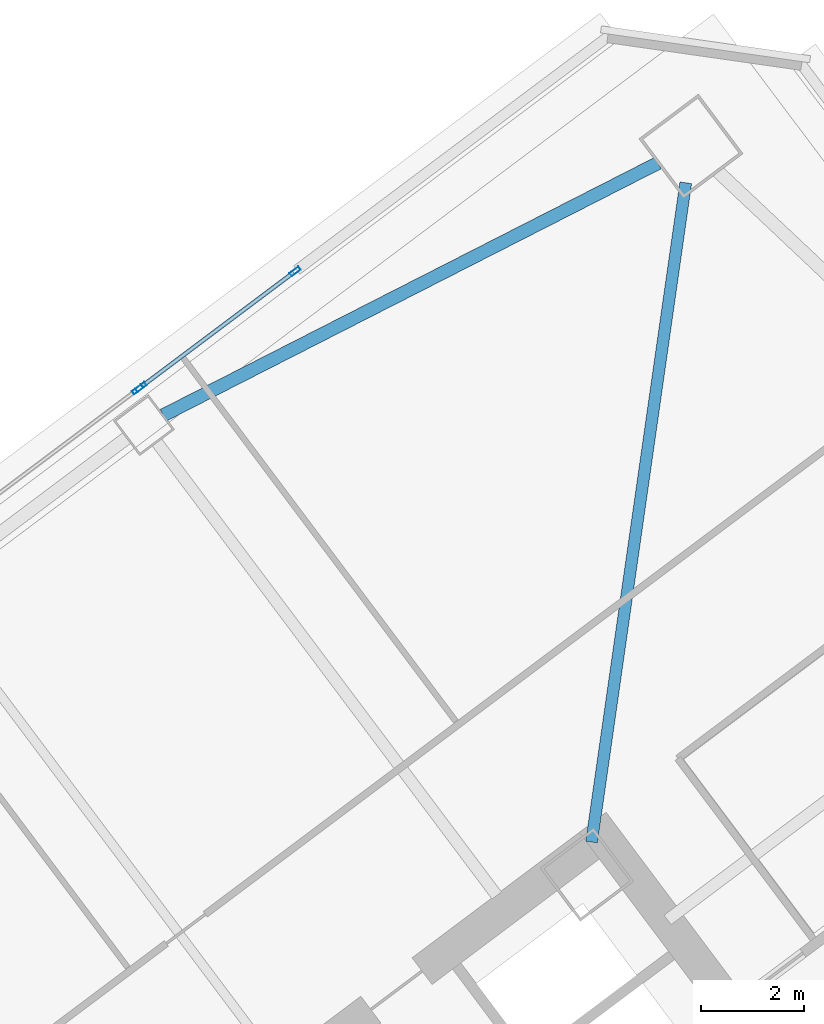
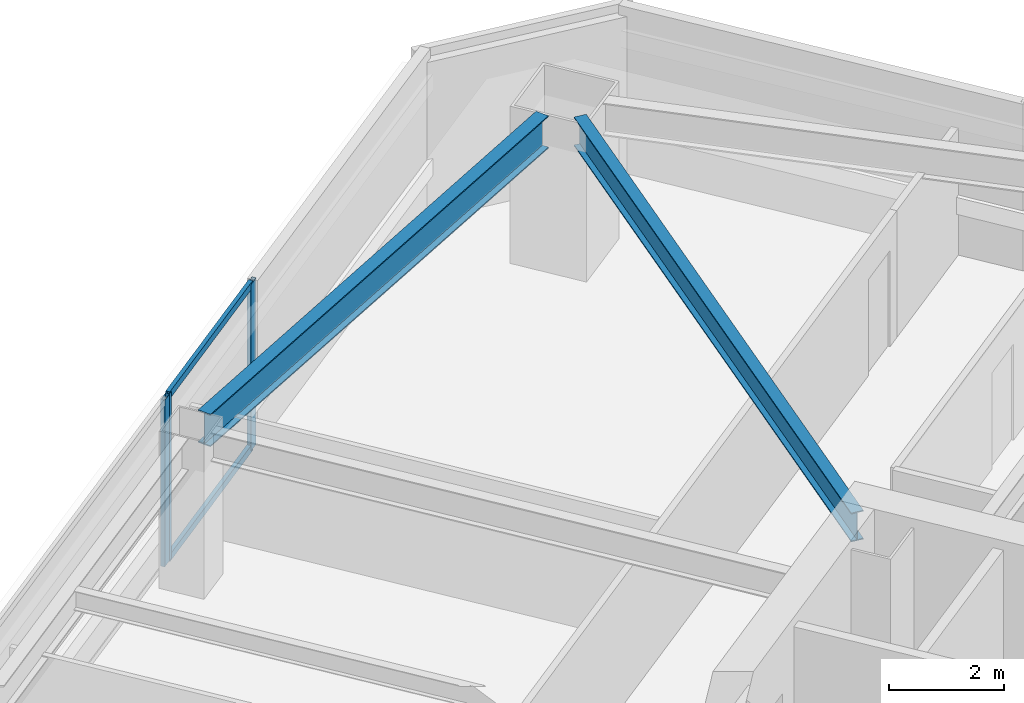
# One storey, part 29 of 44: 5 members, 2 beams, 2 elements without a shape of their own.
"""IFC4 building model written with IfcOpenShell, lengths in metres."""

import ifcopenshell
import ifcopenshell.guid

model = None  # the IFC model being written
_history = None  # IfcOwnerHistory: only IFC2X3 demands one
_inside = {}  # id of a spatial element -> (the spatial element, [elements in it])
_under = {}  # id of a project, library or spatial element -> (it, [spatial elements below it])
_declared = {}  # id of a project -> (the project, [libraries it declares])
_typed = {}  # id of a type object -> (the type object, [elements of that type])
_made_of = {}  # id of a material, layer set ... -> (it, [elements and type objects made of it])


def new_model(schema):
    """Start an empty IFC model of exactly this schema.

    Asked for "IFC4X3", IfcOpenShell would pick the latest addendum, in which some entities
    have other attributes; the version numbers below select the first issue.
    IFC2X3 requires an IfcOwnerHistory on every rooted entity: one is made here for all.
    """
    global model, _history
    if schema == "IFC4X3":
        model = ifcopenshell.file(schema_version=(4, 3, 0, 0))
    else:
        model = ifcopenshell.file(schema=schema)
    _inside.clear()
    _under.clear()
    _declared.clear()
    _typed.clear()
    _made_of.clear()
    _history = None
    if model.schema == "IFC2X3":
        org = make("IfcOrganization", Name="unknown")
        user = make(
            "IfcPersonAndOrganization",
            ThePerson=make("IfcPerson", FamilyName="unknown"),
            TheOrganization=org,
        )
        app = make(
            "IfcApplication",
            ApplicationDeveloper=org,
            Version="unknown",
            ApplicationFullName="unknown",
            ApplicationIdentifier="unknown",
        )
        _history = make(
            "IfcOwnerHistory",
            OwningUser=user,
            OwningApplication=app,
            ChangeAction="ADDED",
            CreationDate=0,
        )
    return model


def make(cls, **values):
    """One entity of the class cls with the attributes given. An attribute that is None is left unset."""
    return model.create_entity(
        cls, **{name: value for name, value in values.items() if value is not None}
    )


def rooted(cls, **values):
    """An entity with a GlobalId (a new one), such as an element, a storey or a relation."""
    return make(cls, GlobalId=ifcopenshell.guid.new(), OwnerHistory=_history, **values)


def si_unit(unit_type, name, prefix=None):
    """IfcSIUnit, for example si_unit("LENGTHUNIT", "METRE", prefix="MILLI")."""
    return make("IfcSIUnit", UnitType=unit_type, Prefix=prefix, Name=name)


def assignment(units):
    """IfcUnitAssignment: the units of a project."""
    return None if units is None else make("IfcUnitAssignment", Units=units)


def point(xyz):
    """IfcCartesianPoint."""
    return None if xyz is None else make("IfcCartesianPoint", Coordinates=xyz)


def direction(xyz):
    """IfcDirection."""
    return None if xyz is None else make("IfcDirection", DirectionRatios=xyz)


def frame(location, z_axis=None, x_axis=None):
    """IfcAxis2Placement3D, a coordinate frame: its origin and axes. An axis left out is left unset."""
    return make(
        "IfcAxis2Placement3D",
        Location=point(location),
        Axis=direction(z_axis),
        RefDirection=direction(x_axis),
    )


def frame_2d(location, x_axis=None):
    """IfcAxis2Placement2D, a coordinate frame in the plane: its origin and x axis."""
    return make(
        "IfcAxis2Placement2D", Location=point(location), RefDirection=direction(x_axis)
    )


def origin():
    """The frame at (0, 0, 0) with its axes left unset."""
    return frame((0.0, 0.0, 0.0))


def origin_2d():
    """The frame at (0, 0) in the plane with its x axis left unset."""
    return frame_2d((0.0, 0.0))


def place(relative_to, where):
    """IfcLocalPlacement: puts the frame where relative to a parent placement (None: the world)."""
    return make(
        "IfcLocalPlacement", PlacementRelTo=relative_to, RelativePlacement=where
    )


def context(
    kind, dimensions, precision=None, world=None, true_north=None, identifier=None
):
    """IfcGeometricRepresentationContext, for example the 3D "Model" context."""
    return make(
        "IfcGeometricRepresentationContext",
        ContextIdentifier=identifier,
        ContextType=kind,
        CoordinateSpaceDimension=dimensions,
        Precision=precision,
        WorldCoordinateSystem=world,
        TrueNorth=true_north,
    )


def subcontext(parent, identifier, kind, view, scale=None):
    """IfcGeometricRepresentationSubContext, for example "Body" below "Model"."""
    return make(
        "IfcGeometricRepresentationSubContext",
        ContextIdentifier=identifier,
        ContextType=kind,
        ParentContext=parent,
        TargetScale=scale,
        TargetView=view,
    )


def project(units=None, contexts=None):
    """IfcProject with its units and contexts."""
    return rooted(
        "IfcProject",
        Name="project",
        RepresentationContexts=contexts,
        UnitsInContext=assignment(units),
    )


def spatial(cls, under=None, at=None, **own):
    """A site, building, storey or space (cls), placed at a placement, below another one or the project."""
    s = rooted(cls, ObjectPlacement=at, **own)
    if under is not None:
        _under.setdefault(under.id(), (under, []))[1].append(s)
    return s


def profile(cls, at=None, kind="AREA", **sizes):
    """A parametric profile (cls). Its sizes go by their IFC names, for example OverallWidth=200.0."""
    return make(cls, ProfileType=kind, Position=at, **sizes)


def hollow_rectangle(**sizes):
    """IfcRectangleHollowProfileDef."""
    return profile("IfcRectangleHollowProfileDef", **sizes)


def i_section(**sizes):
    """IfcIShapeProfileDef."""
    return profile("IfcIShapeProfileDef", **sizes)


def extrude(swept, where, along, depth):
    """IfcExtrudedAreaSolid: the profile swept, set in the frame where, extruded along a direction by depth."""
    return make(
        "IfcExtrudedAreaSolid",
        SweptArea=swept,
        Position=where,
        ExtrudedDirection=direction(along),
        Depth=depth,
    )


def shape(context_of_items, identifier, shape_type, items):
    """IfcShapeRepresentation: the items that make up one representation, for example the "Body"."""
    return make(
        "IfcShapeRepresentation",
        ContextOfItems=context_of_items,
        RepresentationIdentifier=identifier,
        RepresentationType=shape_type,
        Items=items,
    )


def material(Name=None, Category=None):
    """IfcMaterial."""
    return make("IfcMaterial", Name=Name, Category=Category)


def material_profile(
    of_material, cross_section, Name=None, Category=None, Priority=None
):
    """IfcMaterialProfile: a cross section and its material."""
    return make(
        "IfcMaterialProfile",
        Name=Name,
        Material=of_material,
        Profile=cross_section,
        Priority=Priority,
        Category=Category,
    )


def profile_set(profiles, Name=None, composite=None):
    """IfcMaterialProfileSet."""
    return make(
        "IfcMaterialProfileSet",
        Name=Name,
        MaterialProfiles=profiles,
        CompositeProfile=composite,
    )


def made_of(thing, what):
    """Note that an element or type object is made of a material, layer set ...; save() writes the relation."""
    if what is not None:
        _made_of.setdefault(what.id(), (what, []))[1].append(thing)
    return thing


def type_object(cls, material=None, **own):
    """A type object (cls), such as IfcWallType, which elements share."""
    return made_of(rooted(cls, **own), material)


def element(
    cls,
    number,
    at=None,
    inside=None,
    cuts=None,
    type_object=None,
    material=None,
    context=None,
    identifier="Body",
    shape_type=None,
    held_by="IfcProductDefinitionShape",
    body=None,
    shapes=None,
    **own,
):
    """One element of the class cls, such as IfcWall. Its Tag is "e" and its number.

    at: its placement. inside: the storey or other place that contains it. cuts: it is an
    opening in that element (IfcRelVoidsElement). A single representation is given by context,
    identifier, shape_type and body (its items); several are given by shapes. held_by: the class
    of the entity that holds the representations. save() writes the other relations.
    """
    e = rooted(cls, Tag="e%d" % number, ObjectPlacement=at, **own)
    if body is not None:
        shapes = [shape(context, identifier, shape_type, body)]
    if shapes is not None:
        e.Representation = make(held_by, Representations=shapes)
    if inside is not None:
        _inside.setdefault(inside.id(), (inside, []))[1].append(e)
    if cuts is not None:
        rooted(
            "IfcRelVoidsElement", RelatingBuildingElement=cuts, RelatedOpeningElement=e
        )
    if type_object is not None:
        _typed.setdefault(type_object.id(), (type_object, []))[1].append(e)
    return made_of(e, material)


def aggregate(whole, parts):
    """IfcRelAggregates: a whole, such as a stair, and the parts it consists of."""
    return rooted("IfcRelAggregates", RelatingObject=whole, RelatedObjects=parts)


def save(model, path):
    """Write the relations noted so far, then the file.

    IfcRelAggregates (storeys below a building ...), IfcRelContainedInSpatialStructure (elements
    in a storey), IfcRelDefinesByType, IfcRelAssociatesMaterial and IfcRelDeclares: one each for
    every whole, place, type object, material and project.
    """
    for whole, parts in _under.values():
        aggregate(whole, parts)
    for where, things in _inside.values():
        rooted(
            "IfcRelContainedInSpatialStructure",
            RelatedElements=things,
            RelatingStructure=where,
        )
    for kind, things in _typed.values():
        rooted("IfcRelDefinesByType", RelatedObjects=things, RelatingType=kind)
    for what, things in _made_of.values():
        rooted("IfcRelAssociatesMaterial", RelatedObjects=things, RelatingMaterial=what)
    for by, libraries in _declared.values():
        rooted("IfcRelDeclares", RelatingContext=by, RelatedDefinitions=libraries)
    model.write(path)


model = new_model("IFC4")

# Units and contexts
model_context = context("Model", 3, precision=1e-05, world=origin(), true_north=direction((0.0, 1.0)))
body_context = subcontext(model_context, "Body", "Model", "MODEL_VIEW")
ifc_project = project(units=[si_unit("LENGTHUNIT", "METRE"), si_unit("AREAUNIT", "SQUARE_METRE"), si_unit("VOLUMEUNIT", "CUBIC_METRE"), si_unit("PLANEANGLEUNIT", "RADIAN"), si_unit("MASSUNIT", "GRAM", prefix="KILO")], contexts=[model_context])

# Site, building, storey
site_placement = place(None, origin())
site = spatial("IfcSite", under=ifc_project, at=site_placement, CompositionType="ELEMENT")
building_placement = place(site_placement, origin())
building = spatial("IfcBuilding", under=site, at=building_placement, Name="Tashvorn Skyway Center", CompositionType="ELEMENT")
storey_placement = place(building_placement, frame((0.0, 0.0, 74.300048828125)))
storey = spatial("IfcBuildingStorey", under=building, at=storey_placement, Name="L19", CompositionType="ELEMENT", Elevation=74.300048828125)

# Beams
ifc_material_1 = material(Name="Steel ASTM A992 Grade 50", Category="steel")
ifc_material_profile_1 = material_profile(ifc_material_1, i_section(OverallWidth=0.22998046875, OverallDepth=0.616943359375, WebThickness=0.01318359375, FlangeThickness=0.022216796875, at=origin_2d()), Name="W24X94")
ifc_profile_set_1 = profile_set([ifc_material_profile_1], Name="Steel ASTM A992 Grade 50")
beam_type_1 = type_object("IfcBeamType", Name="BM-BEAM-W24X94", PredefinedType="BEAM", material=ifc_profile_set_1)
beam_1_placement = place(storey_placement, frame((117.338134765625, 55.3671875, 3.04150390625), z_axis=(-0.141418724841, -0.989949869571, 0.0), x_axis=(0.989949869571, -0.141418724841, 0.0)))
element("IfcBeam", 1, at=beam_1_placement, inside=storey, type_object=beam_type_1, Name="Tower 2 L19 Primary Floor Girder MC-NE", PredefinedType="BEAM", context=body_context, shape_type="SweptSolid", body=[
    extrude(i_section(OverallWidth=0.22998046875, OverallDepth=0.616943359375, WebThickness=0.01318359375, FlangeThickness=0.022216796875, at=origin_2d()), origin(), (0.0, 0.0, 1.0), 12.9892578125),
])
ifc_material_profile_2 = material_profile(ifc_material_1, i_section(OverallWidth=0.256103515625, OverallDepth=0.693115234375, WebThickness=0.014404296875, FlangeThickness=0.023681640625, at=origin_2d()), Name="W27X114")
ifc_profile_set_2 = profile_set([ifc_material_profile_2], Name="Steel ASTM A992 Grade 50")
beam_type_2 = type_object("IfcBeamType", Name="BM-SPANDREL-W27X114", PredefinedType="SPANDREL", material=ifc_profile_set_2)
beam_2_placement = place(storey_placement, frame((116.798583984375, 55.7529296875, 3.00341796875), z_axis=(-0.890894170442, -0.454210938961, 0.0), x_axis=(0.454210938961, -0.890894170442, 0.0)))
element("IfcBeam", 2, at=beam_2_placement, inside=storey, type_object=beam_type_2, Name="Tower 2 L19 Spandrel Beam 07", PredefinedType="SPANDREL", context=body_context, shape_type="SweptSolid", body=[
    extrude(i_section(OverallWidth=0.256103515625, OverallDepth=0.693115234375, WebThickness=0.014404296875, FlangeThickness=0.023681640625, at=origin_2d()), origin(), (0.0, 0.0, 1.0), 10.836669921875),
])

# Curtain wall, member
ifc_material_2 = material(Name="Thermally broken bronze-anodized aluminium 6063-T6", Category="aluminium")
curtain_wall_type = type_object("IfcCurtainWallType", Name="CW-CW-Z2", PredefinedType="NOTDEFINED", material=ifc_material_2)
curtain_wall_1_placement = place(storey_placement, origin())
curtain_wall_1 = element("IfcCurtainWall", 3, at=curtain_wall_1_placement, inside=storey, type_object=curtain_wall_type, Name="Tower 2 L19 North Unitised Curtain Wall Glazing Group 2", PredefinedType="NOTDEFINED")
ifc_material_profile_3 = material_profile(ifc_material_2, hollow_rectangle(XDim=0.080078125, YDim=0.219970703125, WallThickness=0.0048828125, at=origin_2d()), Name="ALU-MULL-80x220")
ifc_profile_set_3 = profile_set([ifc_material_profile_3], Name="Thermally broken bronze-anodized aluminium 6063-T6")
member_type_1 = type_object("IfcMemberType", Name="CWM-CW-Z2", PredefinedType="MULLION", material=ifc_profile_set_3)
member_1_placement = place(storey_placement, frame((106.64794921875, 51.3359375, 0.0), z_axis=(0.0, 0.0, 1.0), x_axis=(-0.600000000002, 0.799999999998, 0.0)))
member_1 = element("IfcMember", 4, at=member_1_placement, type_object=member_type_1, Name="CW-Z2 mullion 2", PredefinedType="MULLION", context=body_context, shape_type="SweptSolid", body=[
    extrude(hollow_rectangle(XDim=0.080078125, YDim=0.219970703125, WallThickness=0.0048828125, at=origin_2d()), origin(), (0.0, 0.0, 1.0), 3.550048828125),
])
aggregate(curtain_wall_1, [member_1])

# Curtain wall, members
curtain_wall_2_placement = place(storey_placement, origin())
curtain_wall_2 = element("IfcCurtainWall", 5, at=curtain_wall_2_placement, inside=storey, type_object=curtain_wall_type, Name="Tower 2 L19 North Unitised Curtain Wall Glazing Group 3", PredefinedType="NOTDEFINED")
member_2_placement = place(storey_placement, frame((106.7119140625, 51.384033203125, 0.0), z_axis=(0.0, 0.0, 1.0), x_axis=(-0.600000000002, 0.799999999998, 0.0)))
member_2 = element("IfcMember", 6, at=member_2_placement, type_object=member_type_1, Name="CW-Z2 mullion 1", PredefinedType="MULLION", context=body_context, shape_type="SweptSolid", body=[
    extrude(hollow_rectangle(XDim=0.080078125, YDim=0.219970703125, WallThickness=0.0048828125, at=origin_2d()), origin(), (0.0, 0.0, 1.0), 3.550048828125),
])
member_3_placement = place(storey_placement, frame((109.719970703125, 53.639892578125, 0.0), z_axis=(0.0, 0.0, 1.0), x_axis=(-0.600000000002, 0.799999999998, 0.0)))
member_3 = element("IfcMember", 7, at=member_3_placement, type_object=member_type_1, Name="CW-Z2 mullion 2", PredefinedType="MULLION", context=body_context, shape_type="SweptSolid", body=[
    extrude(hollow_rectangle(XDim=0.080078125, YDim=0.219970703125, WallThickness=0.0048828125, at=origin_2d()), origin(), (0.0, 0.0, 1.0), 3.550048828125),
])
ifc_material_profile_4 = material_profile(ifc_material_2, hollow_rectangle(XDim=0.080078125, YDim=0.14990234375, WallThickness=0.00439453125, at=origin_2d()), Name="ALU-TRAN-80x150")
ifc_profile_set_4 = profile_set([ifc_material_profile_4], Name="Thermally broken bronze-anodized aluminium 6063-T6")
member_type_2 = type_object("IfcMemberType", Name="CWT-CW-Z2", PredefinedType="USERDEFINED", material=ifc_profile_set_4)
member_4_placement = place(storey_placement, frame((106.743896484375, 51.407958984375, 0.0400390625), z_axis=(0.800007960868, 0.599989385363, 0.0), x_axis=(-0.599989385363, 0.800007960868, 0.0)))
member_4 = element("IfcMember", 8, at=member_4_placement, type_object=member_type_2, Name="CW-Z2 transom 1.1", ObjectType="TRANSOM", PredefinedType="USERDEFINED", context=body_context, shape_type="SweptSolid", body=[
    extrude(hollow_rectangle(XDim=0.080078125, YDim=0.14990234375, WallThickness=0.00439453125, at=origin_2d()), origin(), (0.0, 0.0, 1.0), 3.68017578125),
])
member_5_placement = place(storey_placement, frame((106.743896484375, 51.407958984375, 3.510009765625), z_axis=(0.800007960868, 0.599989385363, 0.0), x_axis=(-0.599989385363, 0.800007960868, 0.0)))
member_5 = element("IfcMember", 9, at=member_5_placement, type_object=member_type_2, Name="CW-Z2 transom 1.2", ObjectType="TRANSOM", PredefinedType="USERDEFINED", context=body_context, shape_type="SweptSolid", body=[
    extrude(hollow_rectangle(XDim=0.080078125, YDim=0.14990234375, WallThickness=0.00439453125, at=origin_2d()), origin(), (0.0, 0.0, 1.0), 3.68017578125),
])
aggregate(curtain_wall_2, [member_2, member_3, member_4, member_5])

save(model, "model.ifc")
